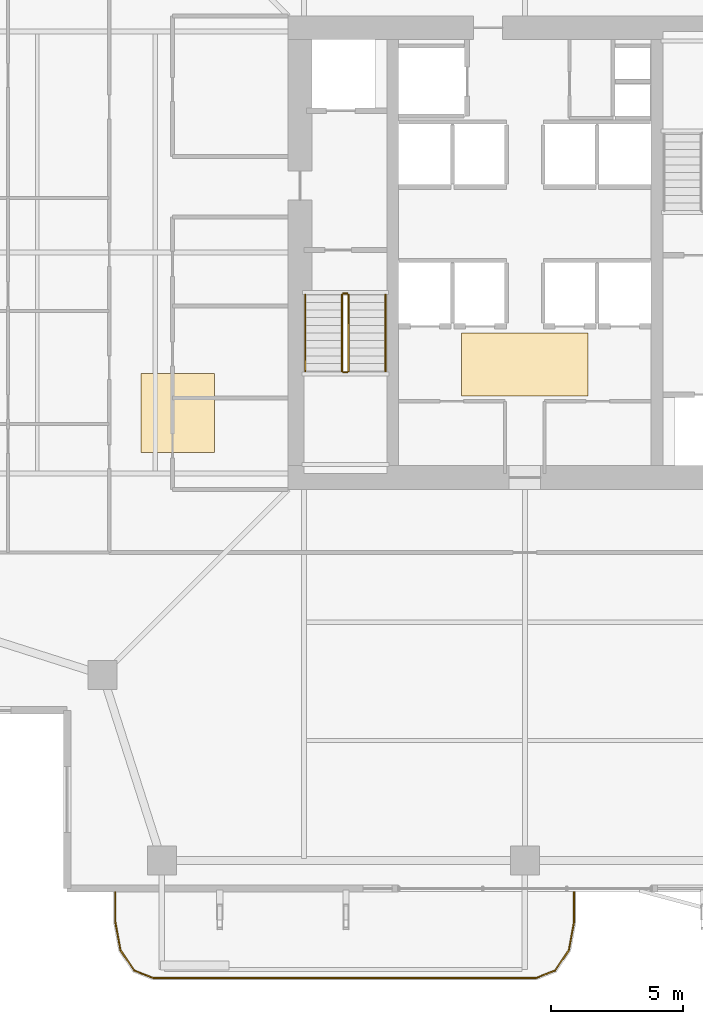
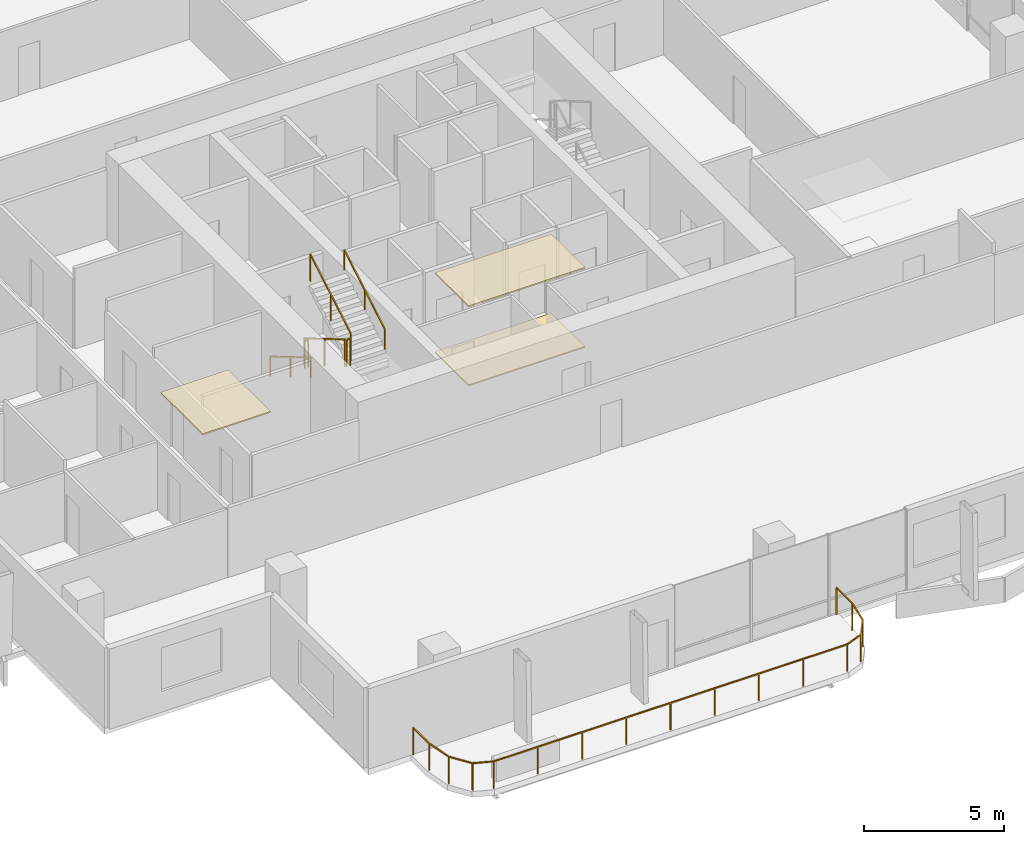
# One storey, part 23 of 25: 7 railings, 3 coverings.
"""IFC4 building model written with IfcOpenShell, lengths in metres."""

import ifcopenshell
import ifcopenshell.guid

model = None  # the IFC model being written
_history = None  # IfcOwnerHistory: only IFC2X3 demands one
_inside = {}  # id of a spatial element -> (the spatial element, [elements in it])
_under = {}  # id of a project, library or spatial element -> (it, [spatial elements below it])
_declared = {}  # id of a project -> (the project, [libraries it declares])
_typed = {}  # id of a type object -> (the type object, [elements of that type])
_made_of = {}  # id of a material, layer set ... -> (it, [elements and type objects made of it])


def new_model(schema):
    """Start an empty IFC model of exactly this schema.

    Asked for "IFC4X3", IfcOpenShell would pick the latest addendum, in which some entities
    have other attributes; the version numbers below select the first issue.
    IFC2X3 requires an IfcOwnerHistory on every rooted entity: one is made here for all.
    """
    global model, _history
    if schema == "IFC4X3":
        model = ifcopenshell.file(schema_version=(4, 3, 0, 0))
    else:
        model = ifcopenshell.file(schema=schema)
    _inside.clear()
    _under.clear()
    _declared.clear()
    _typed.clear()
    _made_of.clear()
    _history = None
    if model.schema == "IFC2X3":
        org = make("IfcOrganization", Name="unknown")
        user = make(
            "IfcPersonAndOrganization",
            ThePerson=make("IfcPerson", FamilyName="unknown"),
            TheOrganization=org,
        )
        app = make(
            "IfcApplication",
            ApplicationDeveloper=org,
            Version="unknown",
            ApplicationFullName="unknown",
            ApplicationIdentifier="unknown",
        )
        _history = make(
            "IfcOwnerHistory",
            OwningUser=user,
            OwningApplication=app,
            ChangeAction="ADDED",
            CreationDate=0,
        )
    return model


def make(cls, **values):
    """One entity of the class cls with the attributes given. An attribute that is None is left unset."""
    return model.create_entity(
        cls, **{name: value for name, value in values.items() if value is not None}
    )


def rooted(cls, **values):
    """An entity with a GlobalId (a new one), such as an element, a storey or a relation."""
    return make(cls, GlobalId=ifcopenshell.guid.new(), OwnerHistory=_history, **values)


def si_unit(unit_type, name, prefix=None):
    """IfcSIUnit, for example si_unit("LENGTHUNIT", "METRE", prefix="MILLI")."""
    return make("IfcSIUnit", UnitType=unit_type, Prefix=prefix, Name=name)


def assignment(units):
    """IfcUnitAssignment: the units of a project."""
    return None if units is None else make("IfcUnitAssignment", Units=units)


def point(xyz):
    """IfcCartesianPoint."""
    return None if xyz is None else make("IfcCartesianPoint", Coordinates=xyz)


def direction(xyz):
    """IfcDirection."""
    return None if xyz is None else make("IfcDirection", DirectionRatios=xyz)


def frame(location, z_axis=None, x_axis=None):
    """IfcAxis2Placement3D, a coordinate frame: its origin and axes. An axis left out is left unset."""
    return make(
        "IfcAxis2Placement3D",
        Location=point(location),
        Axis=direction(z_axis),
        RefDirection=direction(x_axis),
    )


def frame_2d(location, x_axis=None):
    """IfcAxis2Placement2D, a coordinate frame in the plane: its origin and x axis."""
    return make(
        "IfcAxis2Placement2D", Location=point(location), RefDirection=direction(x_axis)
    )


def origin():
    """The frame at (0, 0, 0) with its axes left unset."""
    return frame((0.0, 0.0, 0.0))


def origin_2d():
    """The frame at (0, 0) in the plane with its x axis left unset."""
    return frame_2d((0.0, 0.0))


def place(relative_to, where):
    """IfcLocalPlacement: puts the frame where relative to a parent placement (None: the world)."""
    return make(
        "IfcLocalPlacement", PlacementRelTo=relative_to, RelativePlacement=where
    )


def context(
    kind, dimensions, precision=None, world=None, true_north=None, identifier=None
):
    """IfcGeometricRepresentationContext, for example the 3D "Model" context."""
    return make(
        "IfcGeometricRepresentationContext",
        ContextIdentifier=identifier,
        ContextType=kind,
        CoordinateSpaceDimension=dimensions,
        Precision=precision,
        WorldCoordinateSystem=world,
        TrueNorth=true_north,
    )


def subcontext(parent, identifier, kind, view, scale=None):
    """IfcGeometricRepresentationSubContext, for example "Body" below "Model"."""
    return make(
        "IfcGeometricRepresentationSubContext",
        ContextIdentifier=identifier,
        ContextType=kind,
        ParentContext=parent,
        TargetScale=scale,
        TargetView=view,
    )


def project(units=None, contexts=None):
    """IfcProject with its units and contexts."""
    return rooted(
        "IfcProject",
        Name="project",
        RepresentationContexts=contexts,
        UnitsInContext=assignment(units),
    )


def spatial(cls, under=None, at=None, **own):
    """A site, building, storey or space (cls), placed at a placement, below another one or the project."""
    s = rooted(cls, ObjectPlacement=at, **own)
    if under is not None:
        _under.setdefault(under.id(), (under, []))[1].append(s)
    return s


def polyline(points):
    """IfcPolyline through the points."""
    return make("IfcPolyline", Points=[point(p) for p in points])


def profile(cls, at=None, kind="AREA", **sizes):
    """A parametric profile (cls). Its sizes go by their IFC names, for example OverallWidth=200.0."""
    return make(cls, ProfileType=kind, Position=at, **sizes)


def rectangle(**sizes):
    """IfcRectangleProfileDef."""
    return profile("IfcRectangleProfileDef", **sizes)


def outline(outer, holes=None, kind="AREA"):
    """IfcArbitraryClosedProfileDef: a profile drawn as a closed curve; with holes, ...WithVoids."""
    if holes is None:
        return make("IfcArbitraryClosedProfileDef", ProfileType=kind, OuterCurve=outer)
    return make(
        "IfcArbitraryProfileDefWithVoids",
        ProfileType=kind,
        OuterCurve=outer,
        InnerCurves=holes,
    )


def extrude(swept, where, along, depth):
    """IfcExtrudedAreaSolid: the profile swept, set in the frame where, extruded along a direction by depth."""
    return make(
        "IfcExtrudedAreaSolid",
        SweptArea=swept,
        Position=where,
        ExtrudedDirection=direction(along),
        Depth=depth,
    )


def shape(context_of_items, identifier, shape_type, items):
    """IfcShapeRepresentation: the items that make up one representation, for example the "Body"."""
    return make(
        "IfcShapeRepresentation",
        ContextOfItems=context_of_items,
        RepresentationIdentifier=identifier,
        RepresentationType=shape_type,
        Items=items,
    )


def material(Name=None, Category=None):
    """IfcMaterial."""
    return make("IfcMaterial", Name=Name, Category=Category)


def layer(
    of_material, thickness, ventilated=None, Name=None, Category=None, Priority=None
):
    """IfcMaterialLayer: one layer of a wall or slab, of a material (None: an air gap)."""
    return make(
        "IfcMaterialLayer",
        Material=of_material,
        LayerThickness=thickness,
        IsVentilated=ventilated,
        Name=Name,
        Category=Category,
        Priority=Priority,
    )


def layer_set(layers, Name=None):
    """IfcMaterialLayerSet."""
    return make("IfcMaterialLayerSet", MaterialLayers=layers, LayerSetName=Name)


def made_of(thing, what):
    """Note that an element or type object is made of a material, layer set ...; save() writes the relation."""
    if what is not None:
        _made_of.setdefault(what.id(), (what, []))[1].append(thing)
    return thing


def type_object(cls, material=None, **own):
    """A type object (cls), such as IfcWallType, which elements share."""
    return made_of(rooted(cls, **own), material)


def element(
    cls,
    number,
    at=None,
    inside=None,
    cuts=None,
    type_object=None,
    material=None,
    context=None,
    identifier="Body",
    shape_type=None,
    held_by="IfcProductDefinitionShape",
    body=None,
    shapes=None,
    **own,
):
    """One element of the class cls, such as IfcWall. Its Tag is "e" and its number.

    at: its placement. inside: the storey or other place that contains it. cuts: it is an
    opening in that element (IfcRelVoidsElement). A single representation is given by context,
    identifier, shape_type and body (its items); several are given by shapes. held_by: the class
    of the entity that holds the representations. save() writes the other relations.
    """
    e = rooted(cls, Tag="e%d" % number, ObjectPlacement=at, **own)
    if body is not None:
        shapes = [shape(context, identifier, shape_type, body)]
    if shapes is not None:
        e.Representation = make(held_by, Representations=shapes)
    if inside is not None:
        _inside.setdefault(inside.id(), (inside, []))[1].append(e)
    if cuts is not None:
        rooted(
            "IfcRelVoidsElement", RelatingBuildingElement=cuts, RelatedOpeningElement=e
        )
    if type_object is not None:
        _typed.setdefault(type_object.id(), (type_object, []))[1].append(e)
    return made_of(e, material)


def aggregate(whole, parts):
    """IfcRelAggregates: a whole, such as a stair, and the parts it consists of."""
    return rooted("IfcRelAggregates", RelatingObject=whole, RelatedObjects=parts)


def save(model, path):
    """Write the relations noted so far, then the file.

    IfcRelAggregates (storeys below a building ...), IfcRelContainedInSpatialStructure (elements
    in a storey), IfcRelDefinesByType, IfcRelAssociatesMaterial and IfcRelDeclares: one each for
    every whole, place, type object, material and project.
    """
    for whole, parts in _under.values():
        aggregate(whole, parts)
    for where, things in _inside.values():
        rooted(
            "IfcRelContainedInSpatialStructure",
            RelatedElements=things,
            RelatingStructure=where,
        )
    for kind, things in _typed.values():
        rooted("IfcRelDefinesByType", RelatedObjects=things, RelatingType=kind)
    for what, things in _made_of.values():
        rooted("IfcRelAssociatesMaterial", RelatedObjects=things, RelatingMaterial=what)
    for by, libraries in _declared.values():
        rooted("IfcRelDeclares", RelatingContext=by, RelatedDefinitions=libraries)
    model.write(path)


model = new_model("IFC4")

# Units and contexts
model_context = context("Model", 3, precision=1e-05, world=origin(), true_north=direction((0.0, 1.0)))
body_context = subcontext(model_context, "Body", "Model", "MODEL_VIEW")
ifc_project = project(units=[si_unit("LENGTHUNIT", "METRE"), si_unit("AREAUNIT", "SQUARE_METRE"), si_unit("VOLUMEUNIT", "CUBIC_METRE"), si_unit("PLANEANGLEUNIT", "RADIAN"), si_unit("MASSUNIT", "GRAM", prefix="KILO")], contexts=[model_context])

# Site, building, storey
site_placement = place(None, origin())
site = spatial("IfcSite", under=ifc_project, at=site_placement, CompositionType="ELEMENT")
building_placement = place(site_placement, origin())
building = spatial("IfcBuilding", under=site, at=building_placement, Name="Belovzor Exchange Tower", CompositionType="ELEMENT")
storey_placement = place(building_placement, frame((0.0, 0.0, 172.050048828125)))
storey = spatial("IfcBuildingStorey", under=building, at=storey_placement, Name="L42", CompositionType="ELEMENT", Elevation=172.050048828125)

# Railings
ifc_material_1 = material(Name="Stainless Steel Grade 304", Category="steel")
railing_type_1 = type_object("IfcRailingType", Name="Brushed Stainless Steel Stair Handrail 900", PredefinedType="HANDRAIL", material=ifc_material_1)
railing_1_placement = place(storey_placement, frame((20.449951171875, 27.199951171875, 0.17041015625)))
element("IfcRailing", 1, at=railing_1_placement, inside=storey, type_object=railing_type_1, Name="L42 ST-1 stair handrail 1", PredefinedType="HANDRAIL", context=body_context, shape_type="SweptSolid", body=[
    extrude(rectangle(XDim=0.048095703125, YDim=0.048095703125, at=origin_2d()), frame((0.0, 0.0, 0.8759765625), z_axis=(0.0, -0.86209462966, 0.506747323142), x_axis=(1.0, 0.0, 0.0)), (0.0, 0.0, 1.0), 3.36376953125),
    extrude(rectangle(XDim=0.0419921875, YDim=0.0419921875, at=origin_2d()), origin(), (0.0, 0.0, 1.0), 0.851806640625),
    extrude(rectangle(XDim=0.0419921875, YDim=0.0419921875, at=origin_2d()), frame((0.0, -1.449951171875, 0.852294921875)), (0.0, 0.0, 1.0), 0.851806640625),
    extrude(rectangle(XDim=0.0419921875, YDim=0.0419921875, at=origin_2d()), frame((0.0, -2.89990234375, 1.70458984375)), (0.0, 0.0, 1.0), 0.851806640625),
])
railing_2_placement = place(storey_placement, frame((23.5, 24.300048828125, 2.04541015625)))
element("IfcRailing", 2, at=railing_2_placement, inside=storey, type_object=railing_type_1, Name="L42 ST-1 stair handrail 2", PredefinedType="HANDRAIL", context=body_context, shape_type="SweptSolid", body=[
    extrude(rectangle(XDim=0.048095703125, YDim=0.048095703125, at=origin_2d()), frame((0.0, 0.0, 0.8759765625), z_axis=(0.0, 0.86209462966, 0.506747323142), x_axis=(-1.0, 0.0, 0.0)), (0.0, 0.0, 1.0), 3.36376953125),
    extrude(rectangle(XDim=0.0419921875, YDim=0.0419921875, at=origin_2d()), origin(), (0.0, 0.0, 1.0), 0.851806640625),
    extrude(rectangle(XDim=0.0419921875, YDim=0.0419921875, at=origin_2d()), frame((0.0, 1.449951171875, 0.852294921875)), (0.0, 0.0, 1.0), 0.851806640625),
    extrude(rectangle(XDim=0.0419921875, YDim=0.0419921875, at=origin_2d()), frame((0.0, 2.89990234375, 1.70458984375)), (0.0, 0.0, 1.0), 0.851806640625),
])
ifc_material_2 = material(Name="Stainless Steel and Laminated Safety Glass", Category="steel")
railing_type_2 = type_object("IfcRailingType", Name="Laminated Glass & Stainless Steel Balcony Balustrade 1200", PredefinedType="BALUSTRADE", material=ifc_material_2)
railing_3_placement = place(storey_placement, frame((13.22998046875, 4.489990234375, 0.0)))
element("IfcRailing", 3, at=railing_3_placement, inside=storey, type_object=railing_type_2, Name="GR-1 Balcony Balustrade L42 South", PredefinedType="BALUSTRADE", context=body_context, shape_type="SweptSolid", body=[
    extrude(rectangle(XDim=0.048095703125, YDim=0.048095703125, at=origin_2d()), frame((0.0, 0.0, 1.17578125), z_axis=(0.0, -1.0, 0.0), x_axis=(1.0, 0.0, 0.0)), (0.0, 0.0, 1.0), 1.133056640625),
    extrude(rectangle(XDim=0.048095703125, YDim=0.048095703125, at=origin_2d()), frame((0.0, -1.133056640625, 1.17578125), z_axis=(0.180122719713, -0.983644145941, 0.0), x_axis=(0.983644145941, 0.180122719713, 0.0)), (0.0, 0.0, 1.0), 1.09375),
    extrude(rectangle(XDim=0.048095703125, YDim=0.048095703125, at=origin_2d()), frame((0.197021484375, -2.208984375, 1.17578125), z_axis=(0.562768145367, -0.826614792125, 0.0), x_axis=(0.826614792125, 0.562768145367, 0.0)), (0.0, 0.0, 1.0), 0.9326171875),
    extrude(rectangle(XDim=0.048095703125, YDim=0.048095703125, at=origin_2d()), frame((0.721923828125, -2.97998046875, 1.17578125), z_axis=(0.930809580156, -0.365504480807, 0.0), x_axis=(0.365504480807, 0.930809580156, 0.0)), (0.0, 0.0, 1.0), 0.76611328125),
    extrude(rectangle(XDim=0.048095703125, YDim=0.048095703125, at=origin_2d()), frame((1.43505859375, -3.260009765625, 1.17578125), z_axis=(1.0, 0.0, 0.0), x_axis=(0.0, 1.0, 0.0)), (0.0, 0.0, 1.0), 14.570068359375),
    extrude(rectangle(XDim=0.048095703125, YDim=0.048095703125, at=origin_2d()), frame((16.005126953125, -3.260009765625, 1.17578125), z_axis=(0.930766990125, 0.365612923861, 0.0), x_axis=(-0.365612923861, 0.930766990125, 0.0)), (0.0, 0.0, 1.0), 0.765869140625),
    extrude(rectangle(XDim=0.048095703125, YDim=0.048095703125, at=origin_2d()), frame((16.718017578125, -2.97998046875, 1.17578125), z_axis=(0.562768145367, 0.826614792125, 0.0), x_axis=(-0.826614792125, 0.562768145367, 0.0)), (0.0, 0.0, 1.0), 0.9326171875),
    extrude(rectangle(XDim=0.048095703125, YDim=0.048095703125, at=origin_2d()), frame((17.242919921875, -2.208984375, 1.17578125), z_axis=(0.180122719713, 0.983644145941, 0.0), x_axis=(-0.983644145941, 0.180122719713, 0.0)), (0.0, 0.0, 1.0), 1.09375),
    extrude(rectangle(XDim=0.048095703125, YDim=0.048095703125, at=origin_2d()), frame((17.43994140625, -1.133056640625, 1.17578125), z_axis=(0.0, 1.0, 0.0), x_axis=(-1.0, 0.0, 0.0)), (0.0, 0.0, 1.0), 1.133056640625),
    extrude(rectangle(XDim=0.0419921875, YDim=0.0419921875, at=origin_2d()), origin(), (0.0, 0.0, 1.0), 1.15185546875),
    extrude(rectangle(XDim=0.0419921875, YDim=0.0419921875, at=origin_2d()), frame((0.0, -1.133056640625, 0.0)), (0.0, 0.0, 1.0), 1.15185546875),
    extrude(rectangle(XDim=0.0419921875, YDim=0.0419921875, at=origin_2d()), frame((0.197021484375, -2.208984375, 0.0)), (0.0, 0.0, 1.0), 1.15185546875),
    extrude(rectangle(XDim=0.0419921875, YDim=0.0419921875, at=origin_2d()), frame((0.721923828125, -2.97998046875, 0.0)), (0.0, 0.0, 1.0), 1.15185546875),
    extrude(rectangle(XDim=0.0419921875, YDim=0.0419921875, at=origin_2d()), frame((1.43505859375, -3.260009765625, 0.0)), (0.0, 0.0, 1.0), 1.15185546875),
    extrude(rectangle(XDim=0.0419921875, YDim=0.0419921875, at=origin_2d()), frame((3.25634765625, -3.260009765625, 0.0)), (0.0, 0.0, 1.0), 1.15185546875),
    extrude(rectangle(XDim=0.0419921875, YDim=0.0419921875, at=origin_2d()), frame((5.07763671875, -3.260009765625, 0.0)), (0.0, 0.0, 1.0), 1.15185546875),
    extrude(rectangle(XDim=0.0419921875, YDim=0.0419921875, at=origin_2d()), frame((6.89892578125, -3.260009765625, 0.0)), (0.0, 0.0, 1.0), 1.15185546875),
    extrude(rectangle(XDim=0.0419921875, YDim=0.0419921875, at=origin_2d()), frame((8.72021484375, -3.260009765625, 0.0)), (0.0, 0.0, 1.0), 1.15185546875),
    extrude(rectangle(XDim=0.0419921875, YDim=0.0419921875, at=origin_2d()), frame((10.541259765625, -3.260009765625, 0.0)), (0.0, 0.0, 1.0), 1.15185546875),
    extrude(rectangle(XDim=0.0419921875, YDim=0.0419921875, at=origin_2d()), frame((12.362548828125, -3.260009765625, 0.0)), (0.0, 0.0, 1.0), 1.15185546875),
    extrude(rectangle(XDim=0.0419921875, YDim=0.0419921875, at=origin_2d()), frame((14.183837890625, -3.260009765625, 0.0)), (0.0, 0.0, 1.0), 1.15185546875),
    extrude(rectangle(XDim=0.0419921875, YDim=0.0419921875, at=origin_2d()), frame((16.005126953125, -3.260009765625, 0.0)), (0.0, 0.0, 1.0), 1.15185546875),
    extrude(rectangle(XDim=0.0419921875, YDim=0.0419921875, at=origin_2d()), frame((16.718017578125, -2.97998046875, 0.0)), (0.0, 0.0, 1.0), 1.15185546875),
    extrude(rectangle(XDim=0.0419921875, YDim=0.0419921875, at=origin_2d()), frame((17.242919921875, -2.208984375, 0.0)), (0.0, 0.0, 1.0), 1.15185546875),
    extrude(rectangle(XDim=0.0419921875, YDim=0.0419921875, at=origin_2d()), frame((17.43994140625, -1.133056640625, 0.0)), (0.0, 0.0, 1.0), 1.15185546875),
    extrude(rectangle(XDim=0.0419921875, YDim=0.0419921875, at=origin_2d()), frame((17.43994140625, 0.0, 0.0)), (0.0, 0.0, 1.0), 1.15185546875),
])
ifc_material_3 = material(Name="Steel S355", Category="steel")
railing_type_3 = type_object("IfcRailingType", Name="Painted Steel Stairwell Guardrail 1200", PredefinedType="GUARDRAIL", material=ifc_material_3)
railing_4_placement = place(storey_placement, frame((21.85009765625, 27.199951171875, 0.17041015625)))
element("IfcRailing", 4, at=railing_4_placement, inside=storey, type_object=railing_type_3, Name="L42 ST-1 stair guard 1", PredefinedType="GUARDRAIL", context=body_context, shape_type="SweptSolid", body=[
    extrude(rectangle(XDim=0.048095703125, YDim=0.048095703125, at=origin_2d()), frame((0.0, 0.0, 1.17578125), z_axis=(0.0, -0.86209462966, 0.506747323142), x_axis=(1.0, 0.0, 0.0)), (0.0, 0.0, 1.0), 3.36376953125),
    extrude(rectangle(XDim=0.0419921875, YDim=0.0419921875, at=origin_2d()), origin(), (0.0, 0.0, 1.0), 1.15185546875),
    extrude(rectangle(XDim=0.0419921875, YDim=0.0419921875, at=origin_2d()), frame((0.0, -1.449951171875, 0.852294921875)), (0.0, 0.0, 1.0), 1.15185546875),
    extrude(rectangle(XDim=0.0419921875, YDim=0.0419921875, at=origin_2d()), frame((0.0, -2.89990234375, 1.70458984375)), (0.0, 0.0, 1.0), 1.15185546875),
])
railing_5_placement = place(storey_placement, frame((21.89990234375, 24.25, 1.875)))
element("IfcRailing", 5, at=railing_5_placement, inside=storey, type_object=railing_type_3, Name="L42 ST-1 stair guard 2", PredefinedType="GUARDRAIL", context=body_context, shape_type="SweptSolid", body=[
    extrude(rectangle(XDim=0.048095703125, YDim=0.048095703125, at=origin_2d()), frame((0.0, 0.0, 1.17578125), z_axis=(1.0, 0.0, 0.0), x_axis=(0.0, 1.0, 0.0)), (0.0, 0.0, 1.0), 0.150146484375),
    extrude(rectangle(XDim=0.0419921875, YDim=0.0419921875, at=origin_2d()), origin(), (0.0, 0.0, 1.0), 1.15185546875),
    extrude(rectangle(XDim=0.0419921875, YDim=0.0419921875, at=origin_2d()), frame((0.150146484375, 0.0, 0.0)), (0.0, 0.0, 1.0), 1.15185546875),
])
railing_6_placement = place(storey_placement, frame((22.10009765625, 24.300048828125, 2.04541015625)))
element("IfcRailing", 6, at=railing_6_placement, inside=storey, type_object=railing_type_3, Name="L42 ST-1 stair guard 3", PredefinedType="GUARDRAIL", context=body_context, shape_type="SweptSolid", body=[
    extrude(rectangle(XDim=0.048095703125, YDim=0.048095703125, at=origin_2d()), frame((0.0, 0.0, 1.17578125), z_axis=(0.0, 0.86209462966, 0.506747323142), x_axis=(-1.0, 0.0, 0.0)), (0.0, 0.0, 1.0), 3.36376953125),
    extrude(rectangle(XDim=0.0419921875, YDim=0.0419921875, at=origin_2d()), origin(), (0.0, 0.0, 1.0), 1.15185546875),
    extrude(rectangle(XDim=0.0419921875, YDim=0.0419921875, at=origin_2d()), frame((0.0, 1.449951171875, 0.852294921875)), (0.0, 0.0, 1.0), 1.15185546875),
    extrude(rectangle(XDim=0.0419921875, YDim=0.0419921875, at=origin_2d()), frame((0.0, 2.89990234375, 1.70458984375)), (0.0, 0.0, 1.0), 1.15185546875),
])
railing_7_placement = place(storey_placement, frame((21.89990234375, 27.25, 0.0)))
element("IfcRailing", 7, at=railing_7_placement, inside=storey, type_object=railing_type_3, Name="L42 ST-1 stair guard 4", PredefinedType="GUARDRAIL", context=body_context, shape_type="SweptSolid", body=[
    extrude(rectangle(XDim=0.048095703125, YDim=0.048095703125, at=origin_2d()), frame((0.0, 0.0, 1.17578125), z_axis=(1.0, 0.0, 0.0), x_axis=(0.0, 1.0, 0.0)), (0.0, 0.0, 1.0), 0.150146484375),
    extrude(rectangle(XDim=0.0419921875, YDim=0.0419921875, at=origin_2d()), origin(), (0.0, 0.0, 1.0), 1.15185546875),
    extrude(rectangle(XDim=0.0419921875, YDim=0.0419921875, at=origin_2d()), frame((0.150146484375, 0.0, 0.0)), (0.0, 0.0, 1.0), 1.15185546875),
])

# Coverings
ifc_material_4 = material(Name="Perforated Powder-Coated Aluminium", Category="aluminium")
ifc_layer_1 = layer(ifc_material_4, 0.06005859375)
ifc_layer_set_1 = layer_set([ifc_layer_1], Name="Perforated Powder-Coated Aluminium")
covering_type_1 = type_object("IfcCoveringType", Name="Perforated Acoustic Metal Tile Suspended Ceiling 60", PredefinedType="CEILING", material=ifc_layer_set_1)
covering_1_placement = place(storey_placement, frame((0.0, 0.0, 3.43505859375)))
element("IfcCovering", 8, at=covering_1_placement, inside=storey, type_object=covering_type_1, Name="CLG-AC60 Suspended Ceiling CLG-L42-LOB", PredefinedType="CEILING", context=body_context, shape_type="SweptSolid", body=[
    extrude(outline(polyline([(26.39990234375, 23.35009765625), (31.199951171875, 23.35009765625), (31.199951171875, 25.75), (26.39990234375, 25.75), (26.39990234375, 23.35009765625)])), origin(), (0.0, 0.0, 1.0), 0.059814453125),
])
covering_2_placement = place(storey_placement, frame((0.0, 0.0, 3.43505859375)))
element("IfcCovering", 9, at=covering_2_placement, inside=storey, type_object=covering_type_1, Name="CLG-AC60 Suspended Ceiling CLG-L42-Z3", PredefinedType="CEILING", context=body_context, shape_type="SweptSolid", body=[
    extrude(outline(polyline([(14.199951171875, 21.199951171875), (17.0, 21.199951171875), (17.0, 24.199951171875), (14.199951171875, 24.199951171875), (14.199951171875, 21.199951171875)])), origin(), (0.0, 0.0, 1.0), 0.059814453125),
])
ifc_material_5 = material(Name="Polished Natural Granite Tile", Category="masonry")
ifc_layer_2 = layer(ifc_material_5, 0.050048828125)
ifc_layer_set_2 = layer_set([ifc_layer_2], Name="Polished Natural Granite Tile")
covering_type_2 = type_object("IfcCoveringType", Name="Polished Karelian Granite & Raised Access Floor Finish 50", PredefinedType="FLOORING", material=ifc_layer_set_2)
covering_3_placement = place(storey_placement, origin())
element("IfcCovering", 10, at=covering_3_placement, inside=storey, type_object=covering_type_2, Name="FLR-GR50 Floor Finish FLR-L42-LOB", PredefinedType="FLOORING", context=body_context, shape_type="SweptSolid", body=[
    extrude(outline(polyline([(26.39990234375, 23.35009765625), (31.199951171875, 23.35009765625), (31.199951171875, 25.75), (26.39990234375, 25.75), (26.39990234375, 23.35009765625)])), origin(), (0.0, 0.0, 1.0), 0.050048828125),
])

save(model, "model.ifc")
